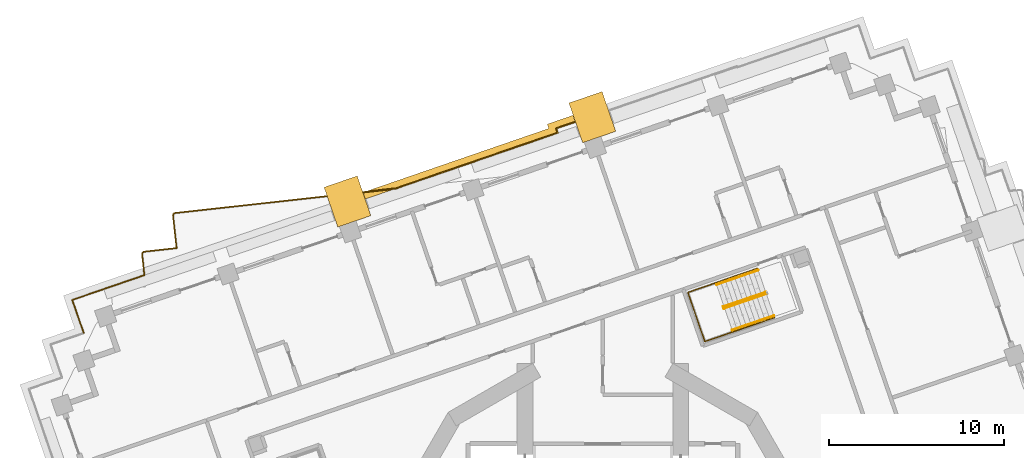
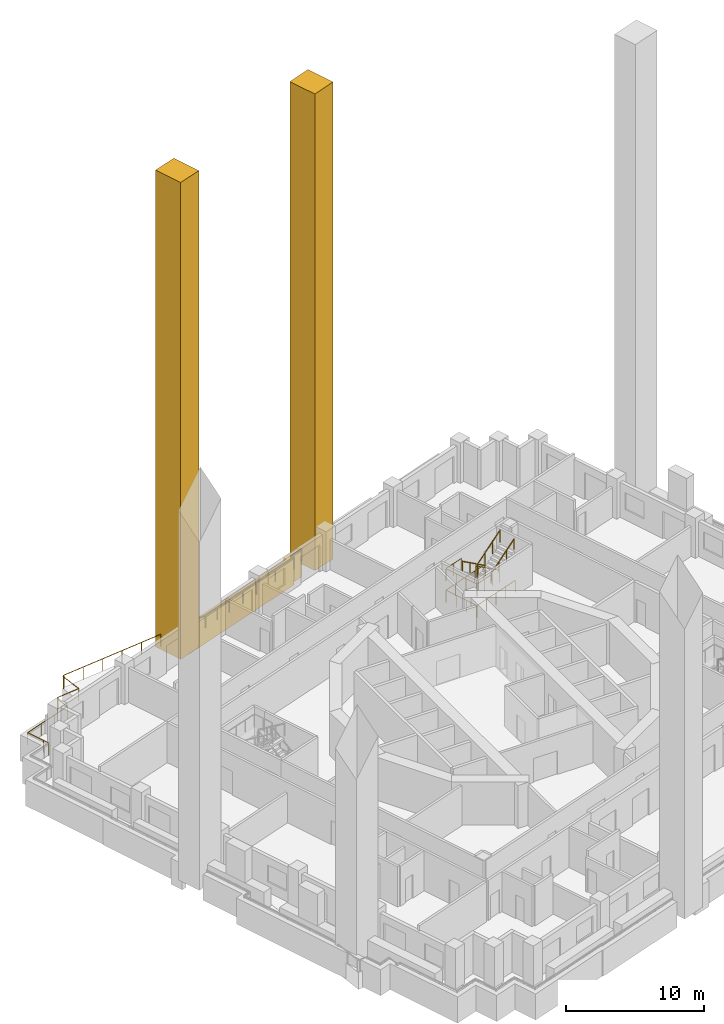
# One storey, part 15 of 18: 8 railings, 3 coverings.
"""IFC4 building model written with IfcOpenShell, lengths in metres."""

from ifc_helpers import new_model, si_unit, direction, frame, origin, origin_2d, place, context, subcontext, project, spatial, polyline, rectangle, circle, outline, extrude, material, type_object, element, save


model = new_model("IFC4")

# Units and contexts
model_context = context("Model", 3, precision=1e-05, world=origin(), true_north=direction((0.0, 1.0)))
body_context = subcontext(model_context, "Body", "Model", "MODEL_VIEW")
ifc_project = project(units=[si_unit("LENGTHUNIT", "METRE"), si_unit("AREAUNIT", "SQUARE_METRE"), si_unit("VOLUMEUNIT", "CUBIC_METRE"), si_unit("PLANEANGLEUNIT", "RADIAN"), si_unit("MASSUNIT", "GRAM", prefix="KILO")], contexts=[model_context])

# Site, building, storey
site_placement = place(None, origin())
site = spatial("IfcSite", under=ifc_project, at=site_placement, CompositionType="ELEMENT")
building_placement = place(site_placement, origin())
building = spatial("IfcBuilding", under=site, at=building_placement, Name="Cantera Rosa Tower", CompositionType="ELEMENT")
storey_placement = place(building_placement, frame((0.0, 0.0, 100.300048828125)))
storey = spatial("IfcBuildingStorey", under=building, at=storey_placement, Name="L19", CompositionType="ELEMENT", Elevation=100.300048828125)

# Railings
ifc_material_1 = material(Name="Stainless steel and laminated glass", Category="steel")
railing_type_1 = type_object("IfcRailingType", Name="GUARD 1100", PredefinedType="BALUSTRADE", material=ifc_material_1)
railing_1_placement = place(storey_placement, frame((-29.6689453125, 13.369140625, 0.0)))
element("IfcRailing", 1, at=railing_1_placement, inside=storey, type_object=railing_type_1, Name="GUARD L19-4", PredefinedType="BALUSTRADE", context=body_context, shape_type="SweptSolid", body=[
    extrude(circle(Radius=0.030029296875, at=origin_2d()), frame((0.0, 0.0, 1.070068359375), z_axis=(-0.32573481536, 0.945461173218, 0.0), x_axis=(-0.945461173218, -0.32573481536, 0.0)), (0.0, 0.0, 1.0), 0.5),
    extrude(circle(Radius=0.030029296875, at=origin_2d()), frame((-0.162841796875, 0.47265625, 1.070068359375), z_axis=(-0.325489086777, 0.945545797087, 0.0), x_axis=(-0.945545797087, -0.325489086777, 0.0)), (0.0, 0.0, 1.0), 1.500244140625),
    extrude(circle(Radius=0.030029296875, at=origin_2d()), frame((-0.651123046875, 1.89111328125, 1.070068359375), z_axis=(0.945528551438, 0.325539181077, 0.0), x_axis=(-0.325539181077, 0.945528551438, 0.0)), (0.0, 0.0, 1.0), 1.5),
    extrude(circle(Radius=0.030029296875, at=origin_2d()), frame((0.76708984375, 2.37939453125, 1.070068359375), z_axis=(0.94551904958, 0.325566777914, 0.0), x_axis=(-0.325566777914, 0.94551904958, 0.0)), (0.0, 0.0, 1.0), 2.85791015625),
    extrude(circle(Radius=0.030029296875, at=origin_2d()), frame((3.46923828125, 3.309814453125, 1.070068359375), z_axis=(-0.110431526075, 0.993883734674, 0.0), x_axis=(-0.993883734674, -0.110431526075, 0.0)), (0.0, 0.0, 1.0), 1.182861328125),
    extrude(circle(Radius=0.030029296875, at=origin_2d()), frame((3.338623046875, 4.4853515625, 1.070068359375), z_axis=(-0.049937616944, 0.998752338878, 0.0), x_axis=(-0.998752338878, -0.049937616944, 0.0)), (0.0, 0.0, 1.0), 0.0146484375),
    extrude(circle(Radius=0.030029296875, at=origin_2d()), frame((3.337890625, 4.5, 1.070068359375), z_axis=(0.033314830233, 0.999444906979, 0.0), x_axis=(-0.999444906979, 0.033314830233, 0.0)), (0.0, 0.0, 1.0), 0.0146484375),
    extrude(circle(Radius=0.030029296875, at=origin_2d()), frame((3.33837890625, 4.5146484375, 1.070068359375), z_axis=(0.132163720091, 0.991227900683, 0.0), x_axis=(-0.991227900683, 0.132163720091, 0.0)), (0.0, 0.0, 1.0), 0.014892578125),
    extrude(circle(Radius=0.030029296875, at=origin_2d()), frame((3.34033203125, 4.529296875, 1.070068359375), z_axis=(0.230877292468, 0.972982875401, 0.0), x_axis=(-0.972982875401, 0.230877292468, 0.0)), (0.0, 0.0, 1.0), 0.014892578125),
    extrude(circle(Radius=0.030029296875, at=origin_2d()), frame((3.34375, 4.543701171875, 1.070068359375), z_axis=(0.316227766017, 0.948683298051, 0.0), x_axis=(-0.948683298051, 0.316227766017, 0.0)), (0.0, 0.0, 1.0), 0.0146484375),
    extrude(circle(Radius=0.030029296875, at=origin_2d()), frame((3.348388671875, 4.5576171875, 1.070068359375), z_axis=(0.433815618773, 0.901001669759, 0.0), x_axis=(-0.901001669759, 0.433815618773, 0.0)), (0.0, 0.0, 1.0), 0.0146484375),
    extrude(circle(Radius=0.030029296875, at=origin_2d()), frame((3.354736328125, 4.57080078125, 1.070068359375), z_axis=(0.49972245349, 0.866185586049, 0.0), x_axis=(-0.866185586049, 0.49972245349, 0.0)), (0.0, 0.0, 1.0), 0.0146484375),
    extrude(circle(Radius=0.030029296875, at=origin_2d()), frame((3.362060546875, 4.58349609375, 1.070068359375), z_axis=(0.581238193719, 0.813733471207, 0.0), x_axis=(-0.813733471207, 0.581238193719, 0.0)), (0.0, 0.0, 1.0), 0.0146484375),
    extrude(circle(Radius=0.030029296875, at=origin_2d()), frame((3.37060546875, 4.595458984375, 1.070068359375), z_axis=(0.656178714925, 0.754605522164, 0.0), x_axis=(-0.754605522164, 0.656178714925, 0.0)), (0.0, 0.0, 1.0), 0.014892578125),
    extrude(circle(Radius=0.030029296875, at=origin_2d()), frame((3.38037109375, 4.606689453125, 1.070068359375), z_axis=(0.73160796015, 0.68172559923, 0.0), x_axis=(-0.68172559923, 0.73160796015, 0.0)), (0.0, 0.0, 1.0), 0.0146484375),
    extrude(circle(Radius=0.030029296875, at=origin_2d()), frame((3.39111328125, 4.61669921875, 1.070068359375), z_axis=(0.8, 0.6, 0.0), x_axis=(-0.6, 0.8, 0.0)), (0.0, 0.0, 1.0), 0.0146484375),
    extrude(circle(Radius=0.030029296875, at=origin_2d()), frame((3.40283203125, 4.62548828125, 1.070068359375), z_axis=(0.851658316705, 0.524097425664, 0.0), x_axis=(-0.524097425664, 0.851658316705, 0.0)), (0.0, 0.0, 1.0), 0.014892578125),
    extrude(circle(Radius=0.030029296875, at=origin_2d()), frame((3.41552734375, 4.63330078125, 1.070068359375), z_axis=(0.901001669759, 0.433815618773, 0.0), x_axis=(-0.433815618773, 0.901001669759, 0.0)), (0.0, 0.0, 1.0), 0.0146484375),
    extrude(circle(Radius=0.030029296875, at=origin_2d()), frame((3.4287109375, 4.6396484375, 1.070068359375), z_axis=(0.936329177569, 0.351123441588, 0.0), x_axis=(-0.351123441588, 0.936329177569, 0.0)), (0.0, 0.0, 1.0), 0.0146484375),
    extrude(circle(Radius=0.030029296875, at=origin_2d()), frame((3.4423828125, 4.644775390625, 1.070068359375), z_axis=(0.96514032777, 0.261732970243, 0.0), x_axis=(-0.261732970243, 0.96514032777, 0.0)), (0.0, 0.0, 1.0), 0.014892578125),
    extrude(circle(Radius=0.030029296875, at=origin_2d()), frame((3.456787109375, 4.648681640625, 1.070068359375), z_axis=(0.988564598957, 0.150797989671, 0.0), x_axis=(-0.150797989671, 0.988564598957, 0.0)), (0.0, 0.0, 1.0), 0.0146484375),
    extrude(circle(Radius=0.030029296875, at=origin_2d()), frame((3.47119140625, 4.65087890625, 1.070068359375), z_axis=(0.99390145875, 0.11027189259, 0.0), x_axis=(-0.11027189259, 0.99390145875, 0.0)), (0.0, 0.0, 1.0), 1.846435546875),
    extrude(circle(Radius=0.030029296875, at=origin_2d()), frame((5.306396484375, 4.8544921875, 1.070068359375), z_axis=(0.977802414077, 0.209529088731, 0.0), x_axis=(-0.209529088731, 0.977802414077, 0.0)), (0.0, 0.0, 1.0), 0.00341796875),
    extrude(circle(Radius=0.030029296875, at=origin_2d()), frame((5.309814453125, 4.855224609375, 1.070068359375), z_axis=(-0.071247049988, 0.997458699831, 0.0), x_axis=(-0.997458699831, -0.071247049988, 0.0)), (0.0, 0.0, 1.0), 0.00341796875),
    extrude(circle(Radius=0.030029296875, at=origin_2d()), frame((5.3095703125, 4.858642578125, 1.070068359375), z_axis=(-0.110286385769, 0.993899850646, 0.0), x_axis=(-0.993899850646, -0.110286385769, 0.0)), (0.0, 0.0, 1.0), 1.84619140625),
    extrude(circle(Radius=0.030029296875, at=origin_2d()), frame((5.10595703125, 6.693603515625, 1.070068359375), z_axis=(-0.066519010524, 0.997785157857, 0.0), x_axis=(-0.997785157857, -0.066519010524, 0.0)), (0.0, 0.0, 1.0), 0.0146484375),
    extrude(circle(Radius=0.030029296875, at=origin_2d()), frame((5.10498046875, 6.708251953125, 1.070068359375), z_axis=(0.032769276821, 0.999462943033, 0.0), x_axis=(-0.999462943033, 0.032769276821, 0.0)), (0.0, 0.0, 1.0), 0.014892578125),
    extrude(circle(Radius=0.030029296875, at=origin_2d()), frame((5.10546875, 6.72314453125, 1.070068359375), z_axis=(0.134363672974, 0.99093208818, 0.0), x_axis=(-0.99093208818, 0.134363672974, 0.0)), (0.0, 0.0, 1.0), 0.0146484375),
    extrude(circle(Radius=0.030029296875, at=origin_2d()), frame((5.107421875, 6.737548828125, 1.070068359375), z_axis=(0.230877292468, 0.972982875401, 0.0), x_axis=(-0.972982875401, 0.230877292468, 0.0)), (0.0, 0.0, 1.0), 0.014892578125),
    extrude(circle(Radius=0.030029296875, at=origin_2d()), frame((5.11083984375, 6.751953125, 1.070068359375), z_axis=(0.331087713029, 0.943599982133, 0.0), x_axis=(-0.943599982133, 0.331087713029, 0.0)), (0.0, 0.0, 1.0), 0.0146484375),
    extrude(circle(Radius=0.030029296875, at=origin_2d()), frame((5.11572265625, 6.765869140625, 1.070068359375), z_axis=(0.413802944301, 0.910366477463, 0.0), x_axis=(-0.910366477463, 0.413802944301, 0.0)), (0.0, 0.0, 1.0), 0.0146484375),
    extrude(circle(Radius=0.030029296875, at=origin_2d()), frame((5.121826171875, 6.779296875, 1.070068359375), z_axis=(0.49972245349, 0.866185586049, 0.0), x_axis=(-0.866185586049, 0.49972245349, 0.0)), (0.0, 0.0, 1.0), 0.0146484375),
    extrude(circle(Radius=0.030029296875, at=origin_2d()), frame((5.129150390625, 6.7919921875, 1.070068359375), z_axis=(0.592076433961, 0.805881812891, 0.0), x_axis=(-0.805881812891, 0.592076433961, 0.0)), (0.0, 0.0, 1.0), 0.014892578125),
    extrude(circle(Radius=0.030029296875, at=origin_2d()), frame((5.137939453125, 6.803955078125, 1.070068359375), z_axis=(0.66436383883, 0.747409318684, 0.0), x_axis=(-0.747409318684, 0.66436383883, 0.0)), (0.0, 0.0, 1.0), 0.0146484375),
    extrude(circle(Radius=0.030029296875, at=origin_2d()), frame((5.147705078125, 6.81494140625, 1.070068359375), z_axis=(0.73160796015, 0.68172559923, 0.0), x_axis=(-0.68172559923, 0.73160796015, 0.0)), (0.0, 0.0, 1.0), 0.0146484375),
    extrude(circle(Radius=0.030029296875, at=origin_2d()), frame((5.158447265625, 6.824951171875, 1.070068359375), z_axis=(0.792010197197, 0.610507860339, 0.0), x_axis=(-0.610507860339, 0.792010197197, 0.0)), (0.0, 0.0, 1.0), 0.014892578125),
    extrude(circle(Radius=0.030029296875, at=origin_2d()), frame((5.170166015625, 6.833984375, 1.070068359375), z_axis=(0.854521941471, 0.519415297757, 0.0), x_axis=(-0.519415297757, 0.854521941471, 0.0)), (0.0, 0.0, 1.0), 0.0146484375),
    extrude(circle(Radius=0.030029296875, at=origin_2d()), frame((5.1826171875, 6.841552734375, 1.070068359375), z_axis=(0.894427191, 0.4472135955, 0.0), x_axis=(-0.4472135955, 0.894427191, 0.0)), (0.0, 0.0, 1.0), 0.0146484375),
    extrude(circle(Radius=0.030029296875, at=origin_2d()), frame((5.19580078125, 6.84814453125, 1.070068359375), z_axis=(0.938343116817, 0.345705358827, 0.0), x_axis=(-0.345705358827, 0.938343116817, 0.0)), (0.0, 0.0, 1.0), 0.014892578125),
    extrude(circle(Radius=0.030029296875, at=origin_2d()), frame((5.209716796875, 6.853271484375, 1.070068359375), z_axis=(0.968146911612, 0.250382821969, 0.0), x_axis=(-0.250382821969, 0.968146911612, 0.0)), (0.0, 0.0, 1.0), 0.0146484375),
    extrude(circle(Radius=0.030029296875, at=origin_2d()), frame((5.223876953125, 6.85693359375, 1.070068359375), z_axis=(0.986393923832, 0.164398987305, 0.0), x_axis=(-0.164398987305, 0.986393923832, 0.0)), (0.0, 0.0, 1.0), 0.014892578125),
    extrude(circle(Radius=0.030029296875, at=origin_2d()), frame((5.238525390625, 6.859375, 1.070068359375), z_axis=(0.993896739055, 0.11031442379, 0.0), x_axis=(-0.11031442379, 0.993896739055, 0.0)), (0.0, 0.0, 1.0), 8.6953125),
    extrude(circle(Radius=0.02490234375, at=origin_2d()), origin(), (0.0, 0.0, 1.0), 1.0400390625),
    extrude(circle(Radius=0.02490234375, at=origin_2d()), frame((-0.162841796875, 0.47265625, 0.0)), (0.0, 0.0, 1.0), 1.0400390625),
    extrude(circle(Radius=0.02490234375, at=origin_2d()), frame((-0.651123046875, 1.89111328125, 0.0)), (0.0, 0.0, 1.0), 1.0400390625),
    extrude(circle(Radius=0.02490234375, at=origin_2d()), frame((0.76708984375, 2.37939453125, 0.0)), (0.0, 0.0, 1.0), 1.0400390625),
    extrude(circle(Radius=0.02490234375, at=origin_2d()), frame((2.1181640625, 2.8447265625, 0.0)), (0.0, 0.0, 1.0), 1.0400390625),
    extrude(circle(Radius=0.02490234375, at=origin_2d()), frame((3.46923828125, 3.309814453125, 0.0)), (0.0, 0.0, 1.0), 1.0400390625),
    extrude(circle(Radius=0.02490234375, at=origin_2d()), frame((3.338623046875, 4.4853515625, 0.0)), (0.0, 0.0, 1.0), 1.0400390625),
    extrude(circle(Radius=0.02490234375, at=origin_2d()), frame((3.337890625, 4.5, 0.0)), (0.0, 0.0, 1.0), 1.0400390625),
    extrude(circle(Radius=0.02490234375, at=origin_2d()), frame((3.33837890625, 4.5146484375, 0.0)), (0.0, 0.0, 1.0), 1.0400390625),
    extrude(circle(Radius=0.02490234375, at=origin_2d()), frame((3.34033203125, 4.529296875, 0.0)), (0.0, 0.0, 1.0), 1.0400390625),
    extrude(circle(Radius=0.02490234375, at=origin_2d()), frame((3.34375, 4.543701171875, 0.0)), (0.0, 0.0, 1.0), 1.0400390625),
    extrude(circle(Radius=0.02490234375, at=origin_2d()), frame((3.348388671875, 4.5576171875, 0.0)), (0.0, 0.0, 1.0), 1.0400390625),
    extrude(circle(Radius=0.02490234375, at=origin_2d()), frame((3.354736328125, 4.57080078125, 0.0)), (0.0, 0.0, 1.0), 1.0400390625),
    extrude(circle(Radius=0.02490234375, at=origin_2d()), frame((3.362060546875, 4.58349609375, 0.0)), (0.0, 0.0, 1.0), 1.0400390625),
    extrude(circle(Radius=0.02490234375, at=origin_2d()), frame((3.37060546875, 4.595458984375, 0.0)), (0.0, 0.0, 1.0), 1.0400390625),
    extrude(circle(Radius=0.02490234375, at=origin_2d()), frame((3.38037109375, 4.606689453125, 0.0)), (0.0, 0.0, 1.0), 1.0400390625),
    extrude(circle(Radius=0.02490234375, at=origin_2d()), frame((3.39111328125, 4.61669921875, 0.0)), (0.0, 0.0, 1.0), 1.0400390625),
    extrude(circle(Radius=0.02490234375, at=origin_2d()), frame((3.40283203125, 4.62548828125, 0.0)), (0.0, 0.0, 1.0), 1.0400390625),
    extrude(circle(Radius=0.02490234375, at=origin_2d()), frame((3.41552734375, 4.63330078125, 0.0)), (0.0, 0.0, 1.0), 1.0400390625),
    extrude(circle(Radius=0.02490234375, at=origin_2d()), frame((3.4287109375, 4.6396484375, 0.0)), (0.0, 0.0, 1.0), 1.0400390625),
    extrude(circle(Radius=0.02490234375, at=origin_2d()), frame((3.4423828125, 4.644775390625, 0.0)), (0.0, 0.0, 1.0), 1.0400390625),
    extrude(circle(Radius=0.02490234375, at=origin_2d()), frame((3.456787109375, 4.648681640625, 0.0)), (0.0, 0.0, 1.0), 1.0400390625),
    extrude(circle(Radius=0.02490234375, at=origin_2d()), frame((3.47119140625, 4.65087890625, 0.0)), (0.0, 0.0, 1.0), 1.0400390625),
    extrude(circle(Radius=0.02490234375, at=origin_2d()), frame((5.306396484375, 4.8544921875, 0.0)), (0.0, 0.0, 1.0), 1.0400390625),
    extrude(circle(Radius=0.02490234375, at=origin_2d()), frame((5.309814453125, 4.855224609375, 0.0)), (0.0, 0.0, 1.0), 1.0400390625),
    extrude(circle(Radius=0.02490234375, at=origin_2d()), frame((5.3095703125, 4.858642578125, 0.0)), (0.0, 0.0, 1.0), 1.0400390625),
    extrude(circle(Radius=0.02490234375, at=origin_2d()), frame((5.10595703125, 6.693603515625, 0.0)), (0.0, 0.0, 1.0), 1.0400390625),
    extrude(circle(Radius=0.02490234375, at=origin_2d()), frame((5.10498046875, 6.708251953125, 0.0)), (0.0, 0.0, 1.0), 1.0400390625),
    extrude(circle(Radius=0.02490234375, at=origin_2d()), frame((5.10546875, 6.72314453125, 0.0)), (0.0, 0.0, 1.0), 1.0400390625),
    extrude(circle(Radius=0.02490234375, at=origin_2d()), frame((5.107421875, 6.737548828125, 0.0)), (0.0, 0.0, 1.0), 1.0400390625),
    extrude(circle(Radius=0.02490234375, at=origin_2d()), frame((5.11083984375, 6.751953125, 0.0)), (0.0, 0.0, 1.0), 1.0400390625),
    extrude(circle(Radius=0.02490234375, at=origin_2d()), frame((5.11572265625, 6.765869140625, 0.0)), (0.0, 0.0, 1.0), 1.0400390625),
    extrude(circle(Radius=0.02490234375, at=origin_2d()), frame((5.121826171875, 6.779296875, 0.0)), (0.0, 0.0, 1.0), 1.0400390625),
    extrude(circle(Radius=0.02490234375, at=origin_2d()), frame((5.129150390625, 6.7919921875, 0.0)), (0.0, 0.0, 1.0), 1.0400390625),
    extrude(circle(Radius=0.02490234375, at=origin_2d()), frame((5.137939453125, 6.803955078125, 0.0)), (0.0, 0.0, 1.0), 1.0400390625),
    extrude(circle(Radius=0.02490234375, at=origin_2d()), frame((5.147705078125, 6.81494140625, 0.0)), (0.0, 0.0, 1.0), 1.0400390625),
    extrude(circle(Radius=0.02490234375, at=origin_2d()), frame((5.158447265625, 6.824951171875, 0.0)), (0.0, 0.0, 1.0), 1.0400390625),
    extrude(circle(Radius=0.02490234375, at=origin_2d()), frame((5.170166015625, 6.833984375, 0.0)), (0.0, 0.0, 1.0), 1.0400390625),
    extrude(circle(Radius=0.02490234375, at=origin_2d()), frame((5.1826171875, 6.841552734375, 0.0)), (0.0, 0.0, 1.0), 1.0400390625),
    extrude(circle(Radius=0.02490234375, at=origin_2d()), frame((5.19580078125, 6.84814453125, 0.0)), (0.0, 0.0, 1.0), 1.0400390625),
    extrude(circle(Radius=0.02490234375, at=origin_2d()), frame((5.209716796875, 6.853271484375, 0.0)), (0.0, 0.0, 1.0), 1.0400390625),
    extrude(circle(Radius=0.02490234375, at=origin_2d()), frame((5.223876953125, 6.85693359375, 0.0)), (0.0, 0.0, 1.0), 1.0400390625),
    extrude(circle(Radius=0.02490234375, at=origin_2d()), frame((5.238525390625, 6.859375, 0.0)), (0.0, 0.0, 1.0), 1.0400390625),
    extrude(circle(Radius=0.02490234375, at=origin_2d()), frame((6.967041015625, 7.05126953125, 0.0)), (0.0, 0.0, 1.0), 1.0400390625),
    extrude(circle(Radius=0.02490234375, at=origin_2d()), frame((8.695556640625, 7.2431640625, 0.0)), (0.0, 0.0, 1.0), 1.0400390625),
    extrude(circle(Radius=0.02490234375, at=origin_2d()), frame((10.423828125, 7.434814453125, 0.0)), (0.0, 0.0, 1.0), 1.0400390625),
    extrude(circle(Radius=0.02490234375, at=origin_2d()), frame((12.15234375, 7.626708984375, 0.0)), (0.0, 0.0, 1.0), 1.0400390625),
    extrude(circle(Radius=0.02490234375, at=origin_2d()), frame((13.880859375, 7.818603515625, 0.0)), (0.0, 0.0, 1.0), 1.0400390625),
])
railing_2_placement = place(storey_placement, frame((-13.689697265625, 21.420654296875, 0.0)))
element("IfcRailing", 2, at=railing_2_placement, inside=storey, type_object=railing_type_1, Name="GUARD L19-5", PredefinedType="BALUSTRADE", context=body_context, shape_type="SweptSolid", body=[
    extrude(circle(Radius=0.030029296875, at=origin_2d()), frame((0.0, 0.0, 1.070068359375), z_axis=(0.993894862635, 0.110331328407, 0.0), x_axis=(-0.110331328407, 0.993894862635, 0.0)), (0.0, 0.0, 1.0), 1.8720703125),
    extrude(circle(Radius=0.030029296875, at=origin_2d()), frame((1.860595703125, 0.20654296875, 1.070068359375), z_axis=(0.945525003473, 0.325549485958, 0.0), x_axis=(-0.325549485958, 0.945525003473, 0.0)), (0.0, 0.0, 1.0), 2.6435546875),
    extrude(circle(Radius=0.030029296875, at=origin_2d()), frame((4.360107421875, 1.067138671875, 1.070068359375), z_axis=(0.945537175258, 0.325514132114, 0.0), x_axis=(-0.325514132114, 0.945537175258, 0.0)), (0.0, 0.0, 1.0), 3.0),
    extrude(circle(Radius=0.030029296875, at=origin_2d()), frame((7.19677734375, 2.043701171875, 1.070068359375), z_axis=(0.94551645067, 0.325574325633, 0.0), x_axis=(-0.325574325633, 0.94551645067, 0.0)), (0.0, 0.0, 1.0), 4.138671875),
    extrude(circle(Radius=0.030029296875, at=origin_2d()), frame((11.10986328125, 3.39111328125, 1.070068359375), z_axis=(-0.325731798778, 0.9454622125, 0.0), x_axis=(-0.9454622125, -0.325731798778, 0.0)), (0.0, 0.0, 1.0), 0.261474609375),
    extrude(circle(Radius=0.030029296875, at=origin_2d()), frame((11.024658203125, 3.638427734375, 1.070068359375), z_axis=(0.945508186981, 0.325598323632, 0.0), x_axis=(-0.325598323632, 0.945508186981, 0.0)), (0.0, 0.0, 1.0), 1.131591796875),
    extrude(circle(Radius=0.02490234375, at=origin_2d()), origin(), (0.0, 0.0, 1.0), 1.0400390625),
    extrude(circle(Radius=0.02490234375, at=origin_2d()), frame((1.860595703125, 0.20654296875, 0.0)), (0.0, 0.0, 1.0), 1.0400390625),
    extrude(circle(Radius=0.02490234375, at=origin_2d()), frame((3.1103515625, 0.63671875, 0.0)), (0.0, 0.0, 1.0), 1.0400390625),
    extrude(circle(Radius=0.02490234375, at=origin_2d()), frame((4.360107421875, 1.067138671875, 0.0)), (0.0, 0.0, 1.0), 1.0400390625),
    extrude(circle(Radius=0.02490234375, at=origin_2d()), frame((5.7783203125, 1.555419921875, 0.0)), (0.0, 0.0, 1.0), 1.0400390625),
    extrude(circle(Radius=0.02490234375, at=origin_2d()), frame((7.19677734375, 2.043701171875, 0.0)), (0.0, 0.0, 1.0), 1.0400390625),
    extrude(circle(Radius=0.02490234375, at=origin_2d()), frame((9.1533203125, 2.71728515625, 0.0)), (0.0, 0.0, 1.0), 1.0400390625),
    extrude(circle(Radius=0.02490234375, at=origin_2d()), frame((11.10986328125, 3.39111328125, 0.0)), (0.0, 0.0, 1.0), 1.0400390625),
    extrude(circle(Radius=0.02490234375, at=origin_2d()), frame((11.024658203125, 3.638427734375, 0.0)), (0.0, 0.0, 1.0), 1.0400390625),
    extrude(circle(Radius=0.02490234375, at=origin_2d()), frame((12.094482421875, 4.0068359375, 0.0)), (0.0, 0.0, 1.0), 1.0400390625),
])
ifc_material_2 = material(Name="Steel S355J2 (EN 10025-2)", Category="steel")
railing_type_2 = type_object("IfcRailingType", Name="STAIR GUARD 1100", PredefinedType="GUARDRAIL", material=ifc_material_2)
railing_3_placement = place(storey_placement, frame((9.307861328125, 15.7021484375, 0.18994140625)))
element("IfcRailing", 3, at=railing_3_placement, inside=storey, type_object=railing_type_2, Name="L19 ST-21 stair guard 1", PredefinedType="GUARDRAIL", context=body_context, shape_type="SweptSolid", body=[
    extrude(circle(Radius=0.02392578125, at=origin_2d()), frame((0.0, 0.0, 1.076171875), z_axis=(-0.782404165978, -0.269432418223, 0.561471186323), x_axis=(0.325599548996, -0.94550776501, 0.0)), (0.0, 0.0, 1.0), 3.04541015625),
    extrude(circle(Radius=0.02392578125, at=origin_2d()), frame((-2.3828125, -0.820556640625, 2.7861328125), z_axis=(-0.989063265047, 0.147491890402, 0.0), x_axis=(-0.147491890402, -0.989063265047, 0.0)), (0.0, 0.0, 1.0), 0.056396484375),
    extrude(circle(Radius=0.02392578125, at=origin_2d()), frame((-2.4384765625, -0.812255859375, 2.7861328125), z_axis=(0.325990683319, -0.945372981626, 0.0), x_axis=(0.945372981626, 0.325990683319, 0.0)), (0.0, 0.0, 1.0), 0.14990234375),
    extrude(circle(Radius=0.02099609375, at=origin_2d()), origin(), (0.0, 0.0, 1.0), 1.052001953125),
    extrude(circle(Radius=0.02099609375, at=origin_2d()), frame((-0.794189453125, -0.2734375, 0.570068359375)), (0.0, 0.0, 1.0), 1.052001953125),
    extrude(circle(Radius=0.02099609375, at=origin_2d()), frame((-1.588623046875, -0.547119140625, 1.139892578125)), (0.0, 0.0, 1.0), 1.052001953125),
    extrude(circle(Radius=0.02099609375, at=origin_2d()), frame((-2.3828125, -0.820556640625, 1.7099609375)), (0.0, 0.0, 1.0), 1.052001953125),
    extrude(circle(Radius=0.02099609375, at=origin_2d()), frame((-2.4384765625, -0.812255859375, 1.7099609375)), (0.0, 0.0, 1.0), 1.052001953125),
    extrude(circle(Radius=0.02099609375, at=origin_2d()), frame((-2.3896484375, -0.953857421875, 1.7099609375)), (0.0, 0.0, 1.0), 1.052001953125),
])
railing_4_placement = place(storey_placement, frame((6.95703125, 14.7890625, 2.08984375)))
element("IfcRailing", 4, at=railing_4_placement, inside=storey, type_object=railing_type_2, Name="L19 ST-21 stair guard 2", PredefinedType="GUARDRAIL", context=body_context, shape_type="SweptSolid", body=[
    extrude(circle(Radius=0.02392578125, at=origin_2d()), frame((0.0, 0.0, 1.076171875), z_axis=(0.782354748911, 0.26936284008, 0.56157342106), x_axis=(-0.325542759796, 0.945527319301, 0.0)), (0.0, 0.0, 1.0), 3.04541015625),
    extrude(circle(Radius=0.02099609375, at=origin_2d()), origin(), (0.0, 0.0, 1.0), 1.052001953125),
    extrude(circle(Radius=0.02099609375, at=origin_2d()), frame((0.794189453125, 0.2734375, 0.570068359375)), (0.0, 0.0, 1.0), 1.052001953125),
    extrude(circle(Radius=0.02099609375, at=origin_2d()), frame((1.58837890625, 0.546875, 1.14013671875)), (0.0, 0.0, 1.0), 1.052001953125),
    extrude(circle(Radius=0.02099609375, at=origin_2d()), frame((2.382568359375, 0.8203125, 1.710205078125)), (0.0, 0.0, 1.0), 1.052001953125),
])
railing_5_placement = place(storey_placement, frame((8.828857421875, 17.055908203125, 0.0)))
element("IfcRailing", 5, at=railing_5_placement, inside=storey, type_object=railing_type_2, Name="L19 ST-21 stair guard 4", PredefinedType="GUARDRAIL", context=body_context, shape_type="SweptSolid", body=[
    extrude(circle(Radius=0.02392578125, at=origin_2d()), frame((0.0, 0.0, 1.076171875), z_axis=(-0.945519978022, -0.325564081496, 0.0), x_axis=(0.325564081496, -0.945519978022, 0.0)), (0.0, 0.0, 1.0), 4.197998046875),
    extrude(circle(Radius=0.02392578125, at=origin_2d()), frame((-3.96923828125, -1.36669921875, 1.076171875), z_axis=(0.325608117645, -0.945504814226, 0.0), x_axis=(0.945504814226, 0.325608117645, 0.0)), (0.0, 0.0, 1.0), 2.969970703125),
    extrude(circle(Radius=0.02392578125, at=origin_2d()), frame((-3.002197265625, -4.1748046875, 1.076171875), z_axis=(0.945519978022, 0.325564081496, 0.0), x_axis=(-0.325564081496, 0.945519978022, 0.0)), (0.0, 0.0, 1.0), 4.197998046875),
    extrude(circle(Radius=0.02099609375, at=origin_2d()), origin(), (0.0, 0.0, 1.0), 1.052001953125),
    extrude(circle(Radius=0.02099609375, at=origin_2d()), frame((-0.9921875, -0.341796875, 0.0)), (0.0, 0.0, 1.0), 1.052001953125),
    extrude(circle(Radius=0.02099609375, at=origin_2d()), frame((-1.984619140625, -0.683349609375, 0.0)), (0.0, 0.0, 1.0), 1.052001953125),
    extrude(circle(Radius=0.02099609375, at=origin_2d()), frame((-2.97705078125, -1.02490234375, 0.0)), (0.0, 0.0, 1.0), 1.052001953125),
    extrude(circle(Radius=0.02099609375, at=origin_2d()), frame((-3.96923828125, -1.36669921875, 0.0)), (0.0, 0.0, 1.0), 1.052001953125),
    extrude(circle(Radius=0.02099609375, at=origin_2d()), frame((-3.64697265625, -2.302734375, 0.0)), (0.0, 0.0, 1.0), 1.052001953125),
    extrude(circle(Radius=0.02099609375, at=origin_2d()), frame((-3.324462890625, -3.23876953125, 0.0)), (0.0, 0.0, 1.0), 1.052001953125),
    extrude(circle(Radius=0.02099609375, at=origin_2d()), frame((-3.002197265625, -4.1748046875, 0.0)), (0.0, 0.0, 1.0), 1.052001953125),
    extrude(circle(Radius=0.02099609375, at=origin_2d()), frame((-2.009765625, -3.8330078125, 0.0)), (0.0, 0.0, 1.0), 1.052001953125),
    extrude(circle(Radius=0.02099609375, at=origin_2d()), frame((-1.017578125, -3.491455078125, 0.0)), (0.0, 0.0, 1.0), 1.052001953125),
    extrude(circle(Radius=0.02099609375, at=origin_2d()), frame((-0.025390625, -3.14990234375, 0.0)), (0.0, 0.0, 1.0), 1.052001953125),
    extrude(circle(Radius=0.02099609375, at=origin_2d()), frame((0.967041015625, -2.80810546875, 0.0)), (0.0, 0.0, 1.0), 1.052001953125),
])
railing_6_placement = place(storey_placement, frame((6.468994140625, 16.243408203125, 1.89990234375)))
element("IfcRailing", 6, at=railing_6_placement, inside=storey, type_object=railing_type_2, Name="L19 ST-21 stair guard 5", PredefinedType="GUARDRAIL", context=body_context, shape_type="SweptSolid", body=[
    extrude(circle(Radius=0.02392578125, at=origin_2d()), frame((0.0, 0.0, 1.076171875), z_axis=(-0.94551008141, -0.32559282233, 0.0), x_axis=(0.32559282233, -0.94551008141, 0.0)), (0.0, 0.0, 1.0), 1.7021484375),
    extrude(circle(Radius=0.02392578125, at=origin_2d()), frame((-1.609375, -0.55419921875, 1.076171875), z_axis=(0.325608117645, -0.945504814226, 0.0), x_axis=(0.945504814226, 0.325608117645, 0.0)), (0.0, 0.0, 1.0), 2.969970703125),
    extrude(circle(Radius=0.02392578125, at=origin_2d()), frame((-0.642333984375, -3.3623046875, 1.076171875), z_axis=(0.945539033546, 0.325508734201, 0.0), x_axis=(-0.325508734201, 0.945539033546, 0.0)), (0.0, 0.0, 1.0), 1.701904296875),
    extrude(circle(Radius=0.02099609375, at=origin_2d()), origin(), (0.0, 0.0, 1.0), 1.052001953125),
    extrude(circle(Radius=0.02099609375, at=origin_2d()), frame((-0.8046875, -0.277099609375, 0.0)), (0.0, 0.0, 1.0), 1.052001953125),
    extrude(circle(Radius=0.02099609375, at=origin_2d()), frame((-1.609375, -0.55419921875, 0.0)), (0.0, 0.0, 1.0), 1.052001953125),
    extrude(circle(Radius=0.02099609375, at=origin_2d()), frame((-1.287109375, -1.490234375, 0.0)), (0.0, 0.0, 1.0), 1.052001953125),
    extrude(circle(Radius=0.02099609375, at=origin_2d()), frame((-0.964599609375, -2.42626953125, 0.0)), (0.0, 0.0, 1.0), 1.052001953125),
    extrude(circle(Radius=0.02099609375, at=origin_2d()), frame((-0.642333984375, -3.3623046875, 0.0)), (0.0, 0.0, 1.0), 1.052001953125),
    extrude(circle(Radius=0.02099609375, at=origin_2d()), frame((0.162109375, -3.08544921875, 0.0)), (0.0, 0.0, 1.0), 1.052001953125),
    extrude(circle(Radius=0.02099609375, at=origin_2d()), frame((0.966796875, -2.808349609375, 0.0)), (0.0, 0.0, 1.0), 1.052001953125),
])
ifc_material_3 = material(Name="Steel S355J2 (EN 10025-2)", Category="steel")
railing_type_3 = type_object("IfcRailingType", Name="STAIR HANDRAIL 900", PredefinedType="HANDRAIL", material=ifc_material_3)
railing_7_placement = place(storey_placement, frame((8.8759765625, 16.955810546875, 0.18994140625)))
element("IfcRailing", 7, at=railing_7_placement, inside=storey, type_object=railing_type_3, Name="L19 ST-21 stair handrail 1", PredefinedType="HANDRAIL", context=body_context, shape_type="SweptSolid", body=[
    extrude(circle(Radius=0.02392578125, at=origin_2d()), frame((0.0, 0.0, 0.8759765625), z_axis=(-0.782389970342, -0.269374966733, 0.561518531845), x_axis=(0.325542759796, -0.945527319301, 0.0)), (0.0, 0.0, 1.0), 3.045166015625),
    extrude(circle(Radius=0.02099609375, at=origin_2d()), origin(), (0.0, 0.0, 1.0), 0.851806640625),
    extrude(circle(Radius=0.02099609375, at=origin_2d()), frame((-0.794189453125, -0.2734375, 0.570068359375)), (0.0, 0.0, 1.0), 0.851806640625),
    extrude(circle(Radius=0.02099609375, at=origin_2d()), frame((-1.58837890625, -0.546875, 1.139892578125)), (0.0, 0.0, 1.0), 0.851806640625),
    extrude(circle(Radius=0.02099609375, at=origin_2d()), frame((-2.382568359375, -0.8203125, 1.7099609375)), (0.0, 0.0, 1.0), 0.851806640625),
])
railing_8_placement = place(storey_placement, frame((7.388671875, 13.53515625, 2.08984375)))
element("IfcRailing", 8, at=railing_8_placement, inside=storey, type_object=railing_type_3, Name="L19 ST-21 stair handrail 2", PredefinedType="HANDRAIL", context=body_context, shape_type="SweptSolid", body=[
    extrude(circle(Radius=0.02392578125, at=origin_2d()), frame((0.0, 0.0, 0.8759765625), z_axis=(0.782368949847, 0.269420291028, 0.561526075172), x_axis=(-0.325599548996, 0.94550776501, 0.0)), (0.0, 0.0, 1.0), 3.045654296875),
    extrude(circle(Radius=0.02099609375, at=origin_2d()), origin(), (0.0, 0.0, 1.0), 0.851806640625),
    extrude(circle(Radius=0.02099609375, at=origin_2d()), frame((0.794189453125, 0.2734375, 0.570068359375)), (0.0, 0.0, 1.0), 0.851806640625),
    extrude(circle(Radius=0.02099609375, at=origin_2d()), frame((1.588623046875, 0.547119140625, 1.14013671875)), (0.0, 0.0, 1.0), 0.851806640625),
    extrude(circle(Radius=0.02099609375, at=origin_2d()), frame((2.3828125, 0.820556640625, 1.710205078125)), (0.0, 0.0, 1.0), 0.851806640625),
])

# Coverings
ifc_material_4 = material(Name="Cantera stone", Category="masonry")
covering_type_1 = type_object("IfcCoveringType", Name="STONE FIN 2000x2400", PredefinedType="CLADDING", material=ifc_material_4)
for number, where, z_axis, x_axis, name in (
    (9, (-0.601318359375, 25.70458984375, -0.300048828125), (0.0, 0.0, 1.0), (-0.945518575599, -0.325568154457, 0.0), "STONE FIN FN-Z2-03"),
    (10, (-14.594970703125, 20.88623046875, -0.300048828125), (0.0, 0.0, 1.0), (-0.945518575599, -0.325568154457, 0.0), "STONE FIN FN-Z2-04"),
):
    element("IfcCovering", number, at=place(storey_placement, frame(where, z_axis=z_axis, x_axis=x_axis)), inside=storey, type_object=covering_type_1, Name=name, PredefinedType="CLADDING", context=body_context, shape_type="SweptSolid", body=[
        extrude(rectangle(XDim=2.0, YDim=2.39990234375, at=origin_2d()), origin(), (0.0, 0.0, 1.0), 42.10009765625),
    ])
ifc_material_5 = material(Name="Cantera stone", Category="masonry")
covering_type_2 = type_object("IfcCoveringType", Name="TRAY FASCIA 400", PredefinedType="CLADDING", material=ifc_material_5)
covering_placement = place(storey_placement, frame((0.0, 0.0, -1.400146484375)))
element("IfcCovering", 11, at=covering_placement, inside=storey, type_object=covering_type_2, Name="TRAY FASCIA L19-03", PredefinedType="CLADDING", context=body_context, shape_type="SweptSolid", body=[
    extrude(outline(polyline([(-13.6201171875, 21.433349609375), (-9.459716796875, 22.865966796875), (-6.623291015625, 23.8427734375), (-3.08837890625, 25.059814453125), (-3.173583984375, 25.306884765625), (-1.70654296875, 25.81201171875), (-1.576416015625, 25.433837890625), (-2.6650390625, 25.05908203125), (-2.579833984375, 24.811767578125), (-6.492919921875, 23.46435546875), (-9.32958984375, 22.48779296875), (-13.48974609375, 21.05517578125), (-13.574951171875, 21.02587890625), (-13.705078125, 21.404052734375), (-13.6201171875, 21.433349609375)])), origin(), (0.0, 0.0, 1.0), 2.300048828125),
])

save(model, "model.ifc")
